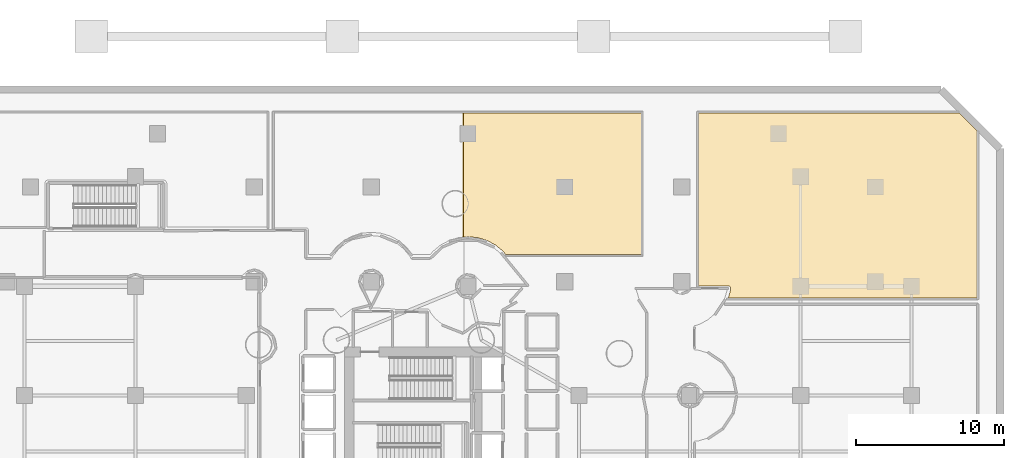
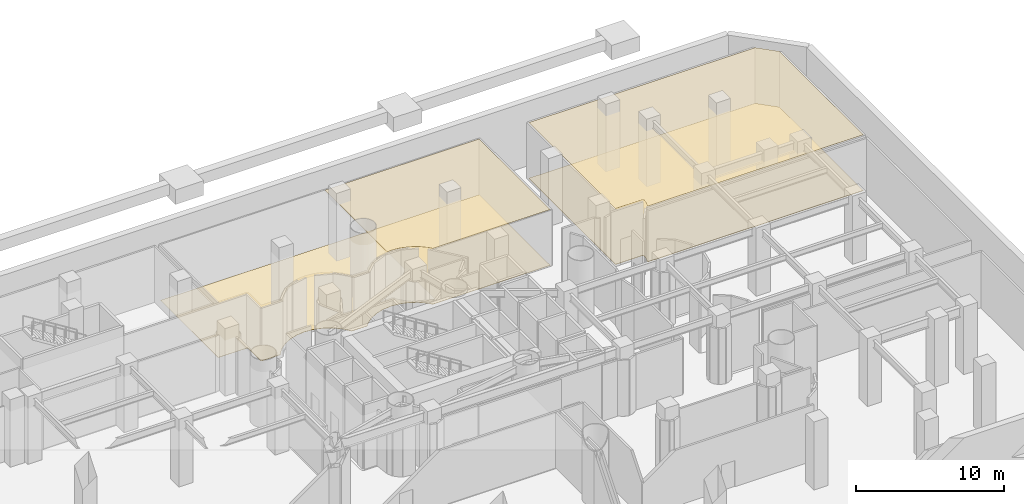
# One storey, part 11 of 11: 4 coverings.
"""IFC4 building model written with IfcOpenShell, lengths in metres."""

from ifc_helpers import new_model, si_unit, direction, frame, origin, place, context, subcontext, project, spatial, polyline, outline, extrude, material, layer, layer_set, type_object, element, save


model = new_model("IFC4")

# Units and contexts
model_context = context("Model", 3, precision=1e-05, world=origin(), true_north=direction((0.0, 1.0)))
body_context = subcontext(model_context, "Body", "Model", "MODEL_VIEW")
ifc_project = project(units=[si_unit("LENGTHUNIT", "METRE"), si_unit("AREAUNIT", "SQUARE_METRE"), si_unit("VOLUMEUNIT", "CUBIC_METRE"), si_unit("PLANEANGLEUNIT", "RADIAN"), si_unit("MASSUNIT", "GRAM", prefix="KILO")], contexts=[model_context])

# Site, building, storey
site_placement = place(None, origin())
site = spatial("IfcSite", under=ifc_project, at=site_placement, CompositionType="ELEMENT")
building_placement = place(site_placement, origin())
building = spatial("IfcBuilding", under=site, at=building_placement, Name="Qianvela Tower", CompositionType="ELEMENT")
storey_placement = place(building_placement, frame((0.0, 0.0, -5.60009765625)))
storey = spatial("IfcBuildingStorey", under=building, at=storey_placement, Name="B01", CompositionType="ELEMENT", Elevation=-5.60009765625)

# Coverings
ifc_material_1 = material(Name="Perforated Mineral Acoustic Ceiling Tile")
ifc_layer_1 = layer(ifc_material_1, 0.02490234375)
ifc_layer_set_1 = layer_set([ifc_layer_1], Name="Perforated Mineral Acoustic Ceiling Tile")
covering_type_1 = type_object("IfcCoveringType", Name="COV-CEIL-ACOUSTIC-25", PredefinedType="CEILING", material=ifc_layer_set_1)
covering_1_placement = place(storey_placement, frame((0.0, 0.0, 4.59521484375)))
element("IfcCovering", 1, at=covering_1_placement, inside=storey, type_object=covering_type_1, Name="B01 Acoustic Ceiling B01 Basement Smoke Make-Up Air Fan Room", PredefinedType="CEILING", context=body_context, shape_type="SweptSolid", body=[
    extrude(outline(polyline([(53.080078125, 48.919921875), (70.71240234375, 48.919921875), (71.919921875, 47.71240234375), (71.919921875, 36.3798828125), (55.091796875, 36.3798828125), (55.231201171875, 36.84033203125), (55.233154296875, 36.84814453125), (55.234375, 36.856201171875), (55.25537109375, 37.077392578125), (55.255615234375, 37.0859375), (55.255126953125, 37.09423828125), (55.253662109375, 37.1025390625), (55.25146484375, 37.110595703125), (55.248291015625, 37.118408203125), (55.244384765625, 37.125732421875), (55.23974609375, 37.1328125), (55.20166015625, 37.18408203125), (55.196533203125, 37.1904296875), (55.190673828125, 37.1962890625), (55.18408203125, 37.201416015625), (55.177001953125, 37.205810546875), (55.169677734375, 37.20947265625), (55.162109375, 37.21240234375), (55.154052734375, 37.214599609375), (55.145751953125, 37.2158203125), (55.137451171875, 37.21630859375), (53.080078125, 37.2158203125), (53.080078125, 48.919921875)])), origin(), (0.0, 0.0, 1.0), 0.02490234375),
])
covering_2_placement = place(storey_placement, frame((0.0, 0.0, 4.59521484375)))
element("IfcCovering", 2, at=covering_2_placement, inside=storey, type_object=covering_type_1, Name="B01 Acoustic Ceiling Bay 2 B01 Central Maintenance Workshop and Spares", PredefinedType="CEILING", context=body_context, shape_type="SweptSolid", body=[
    extrude(outline(polyline([(40.055419921875, 39.330078125), (39.868408203125, 39.557373046875), (39.863037109375, 39.563232421875), (39.857421875, 39.568359375), (39.367919921875, 39.970458984375), (39.36181640625, 39.97509765625), (39.35498046875, 39.97900390625), (38.791748046875, 40.281494140625), (38.784423828125, 40.284912109375), (38.777099609375, 40.28759765625), (38.15966796875, 40.475830078125), (38.152099609375, 40.477783203125), (38.144287109375, 40.47900390625), (37.5078125, 40.54150390625), (37.5, 40.5419921875), (37.4921875, 40.54150390625), (37.189697265625, 40.51171875), (37.189697265625, 48.919921875), (49.219970703125, 48.919921875), (49.219970703125, 39.330078125), (40.055419921875, 39.330078125)])), origin(), (0.0, 0.0, 1.0), 0.02490234375),
])
ifc_material_2 = material(Name="Engineered Acoustic Oak Timber Flooring", Category="wood")
ifc_layer_2 = layer(ifc_material_2, 0.02001953125)
ifc_layer_set_2 = layer_set([ifc_layer_2], Name="Engineered Acoustic Oak Timber Flooring")
covering_type_2 = type_object("IfcCoveringType", Name="COV-FLOOR-OAK-20", PredefinedType="FLOORING", material=ifc_layer_set_2)
covering_3_placement = place(storey_placement, origin())
element("IfcCovering", 3, at=covering_3_placement, inside=storey, type_object=covering_type_2, Name="B01 Finish Flooring B01 Central Maintenance Workshop and Spares", PredefinedType="FLOORING", context=body_context, shape_type="SweptSolid", body=[
    extrude(outline(polyline([(49.219970703125, 39.330078125), (40.055419921875, 39.330078125), (39.868408203125, 39.557373046875), (39.863037109375, 39.563232421875), (39.857421875, 39.568359375), (39.367919921875, 39.970458984375), (39.36181640625, 39.97509765625), (39.35498046875, 39.97900390625), (38.791748046875, 40.281494140625), (38.784423828125, 40.284912109375), (38.777099609375, 40.28759765625), (38.15966796875, 40.475830078125), (38.152099609375, 40.477783203125), (38.144287109375, 40.47900390625), (37.5078125, 40.54150390625), (37.5, 40.5419921875), (37.4921875, 40.54150390625), (36.855712890625, 40.47900390625), (36.847900390625, 40.477783203125), (36.84033203125, 40.475830078125), (36.222900390625, 40.28759765625), (36.215576171875, 40.284912109375), (36.208251953125, 40.281494140625), (35.64501953125, 39.97900390625), (35.63818359375, 39.97509765625), (35.632080078125, 39.970458984375), (35.142578125, 39.568359375), (35.136962890625, 39.563232421875), (35.131591796875, 39.557373046875), (34.944580078125, 39.330078125), (33.739990234375, 39.330078125), (33.32470703125, 39.856201171875), (33.319091796875, 39.862548828125), (33.3125, 39.868408203125), (32.81298828125, 40.27734375), (32.806884765625, 40.281982421875), (32.800048828125, 40.285888671875), (32.241455078125, 40.584228515625), (32.234375, 40.587646484375), (32.22705078125, 40.590087890625), (31.620849609375, 40.7744140625), (31.61328125, 40.7763671875), (31.605712890625, 40.77734375), (30.96337890625, 40.841552734375), (30.955322265625, 40.842041015625), (30.947509765625, 40.841552734375), (30.30517578125, 40.77734375), (30.29736328125, 40.7763671875), (30.289794921875, 40.7744140625), (29.683837890625, 40.590087890625), (29.676513671875, 40.587646484375), (29.66943359375, 40.584228515625), (29.110595703125, 40.285888671875), (29.10400390625, 40.281982421875), (29.09765625, 40.27734375), (28.59814453125, 39.868408203125), (28.591796875, 39.862548828125), (28.5859375, 39.856201171875), (28.170654296875, 39.330078125), (26.69189453125, 39.330078125), (26.69189453125, 41.0), (26.691650390625, 41.007080078125), (26.69091796875, 41.01416015625), (26.689208984375, 41.02099609375), (26.68701171875, 41.027587890625), (26.684326171875, 41.0341796875), (26.66162109375, 41.08203125), (26.65771484375, 41.08935546875), (26.6533203125, 41.09619140625), (26.64794921875, 41.102294921875), (26.64208984375, 41.10791015625), (26.6357421875, 41.113037109375), (26.62890625, 41.117431640625), (26.62158203125, 41.12109375), (26.614013671875, 41.1240234375), (26.60595703125, 41.126220703125), (26.597900390625, 41.12744140625), (26.58984375, 41.1279296875), (24.3798828125, 41.1416015625), (24.3798828125, 48.919921875), (49.219970703125, 48.919921875), (49.219970703125, 39.330078125)])), origin(), (0.0, 0.0, 1.0), 0.02001953125),
])
ifc_material_3 = material(Name="Honed Stone Terrazzo Flooring", Category="masonry")
ifc_layer_3 = layer(ifc_material_3, 0.030029296875)
ifc_layer_set_3 = layer_set([ifc_layer_3], Name="Honed Stone Terrazzo Flooring")
covering_type_3 = type_object("IfcCoveringType", Name="COV-FLOOR-TERRAZZO-30", PredefinedType="FLOORING", material=ifc_layer_set_3)
covering_4_placement = place(storey_placement, origin())
element("IfcCovering", 4, at=covering_4_placement, inside=storey, type_object=covering_type_3, Name="B01 Finish Flooring B01 Basement Smoke Make-Up Air Fan Room", PredefinedType="FLOORING", context=body_context, shape_type="SweptSolid", body=[
    extrude(outline(polyline([(53.080078125, 48.919921875), (70.71240234375, 48.919921875), (71.919921875, 47.71240234375), (71.919921875, 36.3798828125), (55.091796875, 36.3798828125), (55.231201171875, 36.84033203125), (55.233154296875, 36.84814453125), (55.234375, 36.856201171875), (55.25537109375, 37.077392578125), (55.255615234375, 37.0859375), (55.255126953125, 37.09423828125), (55.253662109375, 37.1025390625), (55.25146484375, 37.110595703125), (55.248291015625, 37.118408203125), (55.244384765625, 37.125732421875), (55.23974609375, 37.1328125), (55.20166015625, 37.18408203125), (55.196533203125, 37.1904296875), (55.190673828125, 37.1962890625), (55.18408203125, 37.201416015625), (55.177001953125, 37.205810546875), (55.169677734375, 37.20947265625), (55.162109375, 37.21240234375), (55.154052734375, 37.214599609375), (55.145751953125, 37.2158203125), (55.137451171875, 37.21630859375), (53.080078125, 37.2158203125), (53.080078125, 48.919921875)])), origin(), (0.0, 0.0, 1.0), 0.030029296875),
])

save(model, "model.ifc")
